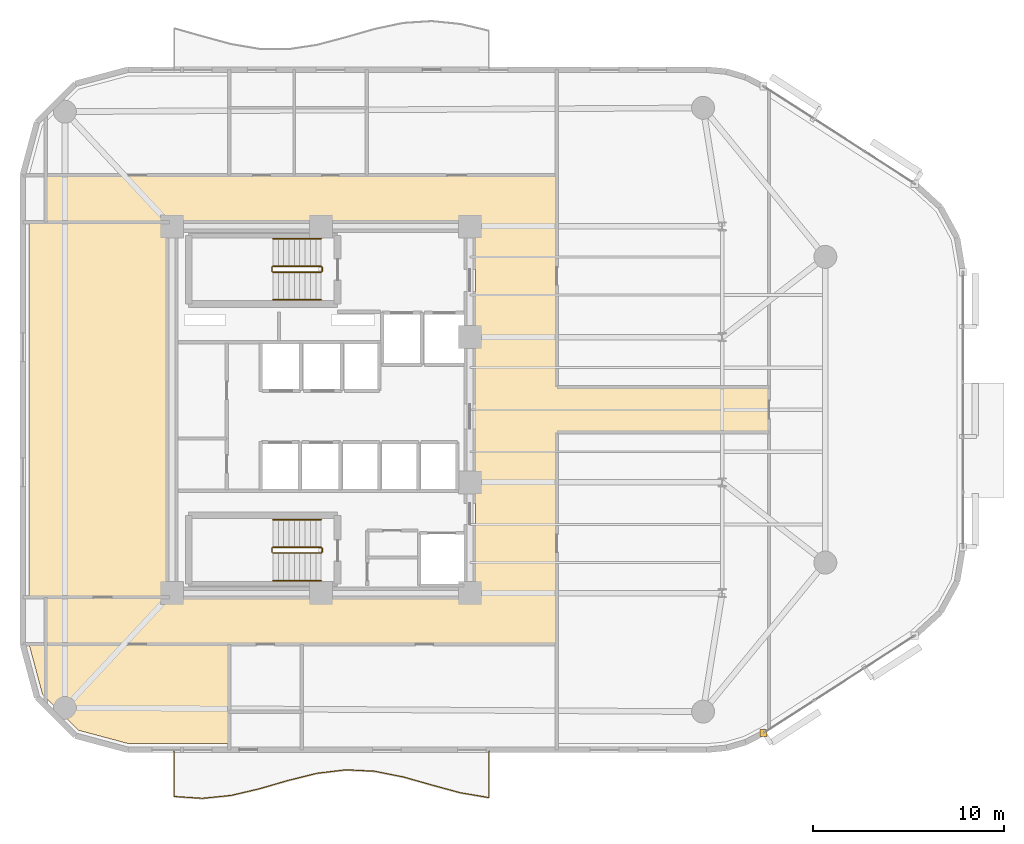
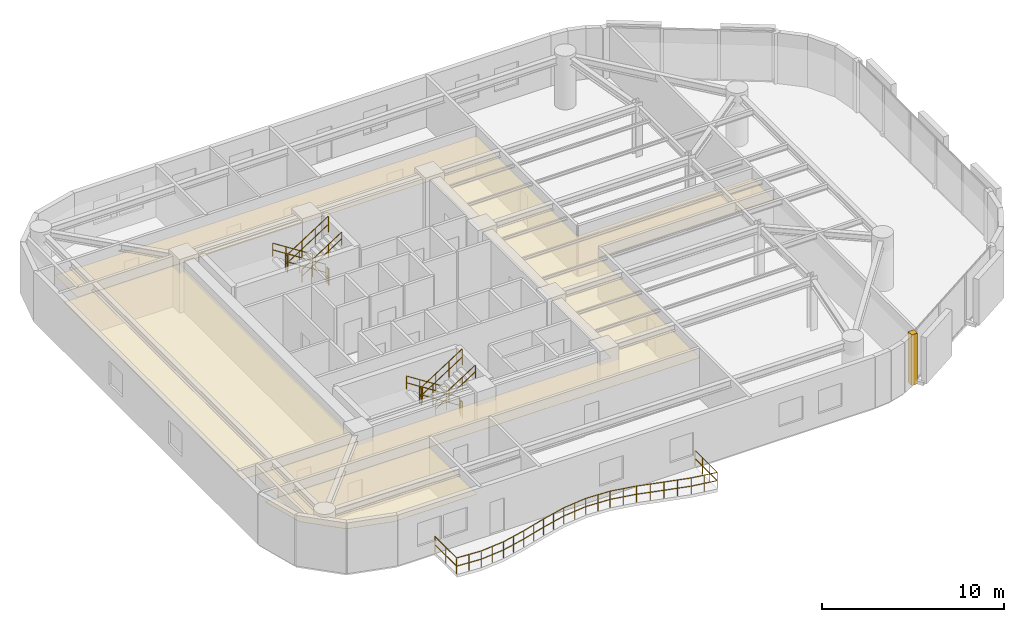
# One storey, part 13 of 14: 13 railings, 4 coverings.
"""IFC4 building model written with IfcOpenShell, lengths in metres."""

import ifcopenshell
import ifcopenshell.guid

model = None  # the IFC model being written
_history = None  # IfcOwnerHistory: only IFC2X3 demands one
_inside = {}  # id of a spatial element -> (the spatial element, [elements in it])
_under = {}  # id of a project, library or spatial element -> (it, [spatial elements below it])
_declared = {}  # id of a project -> (the project, [libraries it declares])
_typed = {}  # id of a type object -> (the type object, [elements of that type])
_made_of = {}  # id of a material, layer set ... -> (it, [elements and type objects made of it])


def new_model(schema):
    """Start an empty IFC model of exactly this schema.

    Asked for "IFC4X3", IfcOpenShell would pick the latest addendum, in which some entities
    have other attributes; the version numbers below select the first issue.
    IFC2X3 requires an IfcOwnerHistory on every rooted entity: one is made here for all.
    """
    global model, _history
    if schema == "IFC4X3":
        model = ifcopenshell.file(schema_version=(4, 3, 0, 0))
    else:
        model = ifcopenshell.file(schema=schema)
    _inside.clear()
    _under.clear()
    _declared.clear()
    _typed.clear()
    _made_of.clear()
    _history = None
    if model.schema == "IFC2X3":
        org = make("IfcOrganization", Name="unknown")
        user = make(
            "IfcPersonAndOrganization",
            ThePerson=make("IfcPerson", FamilyName="unknown"),
            TheOrganization=org,
        )
        app = make(
            "IfcApplication",
            ApplicationDeveloper=org,
            Version="unknown",
            ApplicationFullName="unknown",
            ApplicationIdentifier="unknown",
        )
        _history = make(
            "IfcOwnerHistory",
            OwningUser=user,
            OwningApplication=app,
            ChangeAction="ADDED",
            CreationDate=0,
        )
    return model


def make(cls, **values):
    """One entity of the class cls with the attributes given. An attribute that is None is left unset."""
    return model.create_entity(
        cls, **{name: value for name, value in values.items() if value is not None}
    )


def rooted(cls, **values):
    """An entity with a GlobalId (a new one), such as an element, a storey or a relation."""
    return make(cls, GlobalId=ifcopenshell.guid.new(), OwnerHistory=_history, **values)


def si_unit(unit_type, name, prefix=None):
    """IfcSIUnit, for example si_unit("LENGTHUNIT", "METRE", prefix="MILLI")."""
    return make("IfcSIUnit", UnitType=unit_type, Prefix=prefix, Name=name)


def assignment(units):
    """IfcUnitAssignment: the units of a project."""
    return None if units is None else make("IfcUnitAssignment", Units=units)


def point(xyz):
    """IfcCartesianPoint."""
    return None if xyz is None else make("IfcCartesianPoint", Coordinates=xyz)


def direction(xyz):
    """IfcDirection."""
    return None if xyz is None else make("IfcDirection", DirectionRatios=xyz)


def frame(location, z_axis=None, x_axis=None):
    """IfcAxis2Placement3D, a coordinate frame: its origin and axes. An axis left out is left unset."""
    return make(
        "IfcAxis2Placement3D",
        Location=point(location),
        Axis=direction(z_axis),
        RefDirection=direction(x_axis),
    )


def frame_2d(location, x_axis=None):
    """IfcAxis2Placement2D, a coordinate frame in the plane: its origin and x axis."""
    return make(
        "IfcAxis2Placement2D", Location=point(location), RefDirection=direction(x_axis)
    )


def origin():
    """The frame at (0, 0, 0) with its axes left unset."""
    return frame((0.0, 0.0, 0.0))


def origin_2d():
    """The frame at (0, 0) in the plane with its x axis left unset."""
    return frame_2d((0.0, 0.0))


def place(relative_to, where):
    """IfcLocalPlacement: puts the frame where relative to a parent placement (None: the world)."""
    return make(
        "IfcLocalPlacement", PlacementRelTo=relative_to, RelativePlacement=where
    )


def context(
    kind, dimensions, precision=None, world=None, true_north=None, identifier=None
):
    """IfcGeometricRepresentationContext, for example the 3D "Model" context."""
    return make(
        "IfcGeometricRepresentationContext",
        ContextIdentifier=identifier,
        ContextType=kind,
        CoordinateSpaceDimension=dimensions,
        Precision=precision,
        WorldCoordinateSystem=world,
        TrueNorth=true_north,
    )


def subcontext(parent, identifier, kind, view, scale=None):
    """IfcGeometricRepresentationSubContext, for example "Body" below "Model"."""
    return make(
        "IfcGeometricRepresentationSubContext",
        ContextIdentifier=identifier,
        ContextType=kind,
        ParentContext=parent,
        TargetScale=scale,
        TargetView=view,
    )


def project(units=None, contexts=None):
    """IfcProject with its units and contexts."""
    return rooted(
        "IfcProject",
        Name="project",
        RepresentationContexts=contexts,
        UnitsInContext=assignment(units),
    )


def spatial(cls, under=None, at=None, **own):
    """A site, building, storey or space (cls), placed at a placement, below another one or the project."""
    s = rooted(cls, ObjectPlacement=at, **own)
    if under is not None:
        _under.setdefault(under.id(), (under, []))[1].append(s)
    return s


def polyline(points):
    """IfcPolyline through the points."""
    return make("IfcPolyline", Points=[point(p) for p in points])


def profile(cls, at=None, kind="AREA", **sizes):
    """A parametric profile (cls). Its sizes go by their IFC names, for example OverallWidth=200.0."""
    return make(cls, ProfileType=kind, Position=at, **sizes)


def rectangle(**sizes):
    """IfcRectangleProfileDef."""
    return profile("IfcRectangleProfileDef", **sizes)


def circle(**sizes):
    """IfcCircleProfileDef."""
    return profile("IfcCircleProfileDef", **sizes)


def outline(outer, holes=None, kind="AREA"):
    """IfcArbitraryClosedProfileDef: a profile drawn as a closed curve; with holes, ...WithVoids."""
    if holes is None:
        return make("IfcArbitraryClosedProfileDef", ProfileType=kind, OuterCurve=outer)
    return make(
        "IfcArbitraryProfileDefWithVoids",
        ProfileType=kind,
        OuterCurve=outer,
        InnerCurves=holes,
    )


def extrude(swept, where, along, depth):
    """IfcExtrudedAreaSolid: the profile swept, set in the frame where, extruded along a direction by depth."""
    return make(
        "IfcExtrudedAreaSolid",
        SweptArea=swept,
        Position=where,
        ExtrudedDirection=direction(along),
        Depth=depth,
    )


def shape(context_of_items, identifier, shape_type, items):
    """IfcShapeRepresentation: the items that make up one representation, for example the "Body"."""
    return make(
        "IfcShapeRepresentation",
        ContextOfItems=context_of_items,
        RepresentationIdentifier=identifier,
        RepresentationType=shape_type,
        Items=items,
    )


def material(Name=None, Category=None):
    """IfcMaterial."""
    return make("IfcMaterial", Name=Name, Category=Category)


def layer(
    of_material, thickness, ventilated=None, Name=None, Category=None, Priority=None
):
    """IfcMaterialLayer: one layer of a wall or slab, of a material (None: an air gap)."""
    return make(
        "IfcMaterialLayer",
        Material=of_material,
        LayerThickness=thickness,
        IsVentilated=ventilated,
        Name=Name,
        Category=Category,
        Priority=Priority,
    )


def layer_set(layers, Name=None):
    """IfcMaterialLayerSet."""
    return make("IfcMaterialLayerSet", MaterialLayers=layers, LayerSetName=Name)


def made_of(thing, what):
    """Note that an element or type object is made of a material, layer set ...; save() writes the relation."""
    if what is not None:
        _made_of.setdefault(what.id(), (what, []))[1].append(thing)
    return thing


def type_object(cls, material=None, **own):
    """A type object (cls), such as IfcWallType, which elements share."""
    return made_of(rooted(cls, **own), material)


def element(
    cls,
    number,
    at=None,
    inside=None,
    cuts=None,
    type_object=None,
    material=None,
    context=None,
    identifier="Body",
    shape_type=None,
    held_by="IfcProductDefinitionShape",
    body=None,
    shapes=None,
    **own,
):
    """One element of the class cls, such as IfcWall. Its Tag is "e" and its number.

    at: its placement. inside: the storey or other place that contains it. cuts: it is an
    opening in that element (IfcRelVoidsElement). A single representation is given by context,
    identifier, shape_type and body (its items); several are given by shapes. held_by: the class
    of the entity that holds the representations. save() writes the other relations.
    """
    e = rooted(cls, Tag="e%d" % number, ObjectPlacement=at, **own)
    if body is not None:
        shapes = [shape(context, identifier, shape_type, body)]
    if shapes is not None:
        e.Representation = make(held_by, Representations=shapes)
    if inside is not None:
        _inside.setdefault(inside.id(), (inside, []))[1].append(e)
    if cuts is not None:
        rooted(
            "IfcRelVoidsElement", RelatingBuildingElement=cuts, RelatedOpeningElement=e
        )
    if type_object is not None:
        _typed.setdefault(type_object.id(), (type_object, []))[1].append(e)
    return made_of(e, material)


def aggregate(whole, parts):
    """IfcRelAggregates: a whole, such as a stair, and the parts it consists of."""
    return rooted("IfcRelAggregates", RelatingObject=whole, RelatedObjects=parts)


def save(model, path):
    """Write the relations noted so far, then the file.

    IfcRelAggregates (storeys below a building ...), IfcRelContainedInSpatialStructure (elements
    in a storey), IfcRelDefinesByType, IfcRelAssociatesMaterial and IfcRelDeclares: one each for
    every whole, place, type object, material and project.
    """
    for whole, parts in _under.values():
        aggregate(whole, parts)
    for where, things in _inside.values():
        rooted(
            "IfcRelContainedInSpatialStructure",
            RelatedElements=things,
            RelatingStructure=where,
        )
    for kind, things in _typed.values():
        rooted("IfcRelDefinesByType", RelatedObjects=things, RelatingType=kind)
    for what, things in _made_of.values():
        rooted("IfcRelAssociatesMaterial", RelatedObjects=things, RelatingMaterial=what)
    for by, libraries in _declared.values():
        rooted("IfcRelDeclares", RelatingContext=by, RelatedDefinitions=libraries)
    model.write(path)


model = new_model("IFC4")

# Units and contexts
model_context = context("Model", 3, precision=1e-05, world=origin(), true_north=direction((0.0, 1.0)))
body_context = subcontext(model_context, "Body", "Model", "MODEL_VIEW")
ifc_project = project(units=[si_unit("LENGTHUNIT", "METRE"), si_unit("AREAUNIT", "SQUARE_METRE"), si_unit("VOLUMEUNIT", "CUBIC_METRE"), si_unit("PLANEANGLEUNIT", "RADIAN"), si_unit("MASSUNIT", "GRAM", prefix="KILO")], contexts=[model_context])

# Site, building, storey
site_placement = place(None, origin())
site = spatial("IfcSite", under=ifc_project, at=site_placement, CompositionType="ELEMENT")
building_placement = place(site_placement, origin())
building = spatial("IfcBuilding", under=site, at=building_placement, Name="An Khanh Terracotta Commons", CompositionType="ELEMENT")
storey_placement = place(building_placement, frame((0.0, 0.0, 154.60009765625)))
storey = spatial("IfcBuildingStorey", under=building, at=storey_placement, Name="L40", CompositionType="ELEMENT", Elevation=154.60009765625)

# Coverings
ifc_material_1 = material(Name="Perforated Mineral-Fibre Acoustic Tile")
ifc_layer_1 = layer(ifc_material_1, 0.02001953125, Name="Perforated Mineral-Fibre Acoustic Tile")
ifc_layer_set_1 = layer_set([ifc_layer_1], Name="Perforated Mineral-Fibre Acoustic Tile")
covering_type_1 = type_object("IfcCoveringType", Name="CEIL-ACOUSTIC-18", PredefinedType="CEILING", material=ifc_layer_set_1)
covering_1_placement = place(storey_placement, frame((0.0, 0.0, 2.64990234375)))
element("IfcCovering", 1, at=covering_1_placement, inside=storey, type_object=covering_type_1, Name="L40 Corridor Ceiling", PredefinedType="CEILING", context=body_context, shape_type="SweptSolid", body=[
    extrude(outline(polyline([(15.0, 11.719970703125), (15.0, 14.179931640625), (37.5, 14.179931640625), (37.5, 33.820068359375), (15.0, 33.820068359375), (15.0, 36.280029296875), (37.5, 36.280029296875), (41.75, 36.280029296875), (41.75, 33.820068359375), (41.75, 25.179931640625), (52.85009765625, 25.179931640625), (52.85009765625, 22.820068359375), (41.75, 22.820068359375), (41.75, 14.179931640625), (41.75, 11.719970703125), (37.5, 11.719970703125), (15.0, 11.719970703125)])), origin(), (0.0, 0.0, 1.0), 0.02001953125),
])
covering_2_placement = place(storey_placement, frame((0.0, 0.0, 2.64990234375)))
element("IfcCovering", 2, at=covering_2_placement, inside=storey, type_object=covering_type_1, Name="L40 Academic Seminar Room Ceiling", PredefinedType="CEILING", context=body_context, shape_type="SweptSolid", body=[
    extrude(outline(polyline([(19.342041015625, 6.52001953125), (16.716064453125, 7.22412109375), (14.823974609375, 9.115966796875), (14.1259765625, 11.719970703125), (15.0, 11.719970703125), (24.60009765625, 11.719970703125), (24.60009765625, 8.199951171875), (24.60009765625, 6.52001953125), (19.342041015625, 6.52001953125)])), origin(), (0.0, 0.0, 1.0), 0.02001953125),
])
covering_3_placement = place(storey_placement, frame((0.0, 0.0, 2.64990234375)))
element("IfcCovering", 3, at=covering_3_placement, inside=storey, type_object=covering_type_1, Name="L40 Riverfront Reading Hall Ceiling", PredefinedType="CEILING", context=body_context, shape_type="SweptSolid", body=[
    extrude(outline(polyline([(14.1201171875, 33.820068359375), (15.0, 33.820068359375), (21.47998046875, 33.820068359375), (21.47998046875, 33.719970703125), (21.47998046875, 14.280029296875), (21.47998046875, 14.179931640625), (15.0, 14.179931640625), (14.1201171875, 14.179931640625), (14.1201171875, 33.820068359375)])), origin(), (0.0, 0.0, 1.0), 0.02001953125),
])
ifc_material_2 = material(Name="Fired Terracotta Rainscreen Cladding", Category="masonry")
ifc_layer_2 = layer(ifc_material_2, 0.080078125, Name="Fired Terracotta Rainscreen Cladding")
ifc_layer_set_2 = layer_set([ifc_layer_2], Name="Fired Terracotta Rainscreen Cladding")
covering_type_2 = type_object("IfcCoveringType", Name="COV-JAMB-TERRA", PredefinedType="CLADDING", material=ifc_layer_set_2)
covering_4_placement = place(storey_placement, frame((52.56005859375, 7.075927734375, 0.0), z_axis=(0.0, 0.0, 1.0), x_axis=(1.0, 0.0, 0.0)))
element("IfcCovering", 4, at=covering_4_placement, inside=storey, type_object=covering_type_2, Name="L40 CW-03 Curtain-Wall Jamb Closure JA", PredefinedType="CLADDING", context=body_context, shape_type="SweptSolid", body=[
    extrude(rectangle(XDim=0.3798828125, YDim=0.3798828125, at=origin_2d()), origin(), (0.0, 0.0, 1.0), 3.39990234375),
])

# Railings
ifc_material_3 = material(Name="Brushed Stainless Steel 316", Category="steel")
railing_type_1 = type_object("IfcRailingType", Name="RAIL-BALUSTRADE-1100", PredefinedType="BALUSTRADE", material=ifc_material_3)
railing_1_placement = place(storey_placement, frame((21.699951171875, 6.139892578125, 0.0)))
element("IfcRailing", 5, at=railing_1_placement, inside=storey, type_object=railing_type_1, Name="L40 S Wave Balcony Guard Balustrade", PredefinedType="BALUSTRADE", context=body_context, shape_type="SweptSolid", body=[
    extrude(circle(Radius=0.02392578125, at=origin_2d()), frame((0.0, 0.0, 1.076171875), z_axis=(0.0, -1.0, 0.0), x_axis=(1.0, 0.0, 0.0)), (0.0, 0.0, 1.0), 2.3798828125),
    extrude(circle(Radius=0.02392578125, at=origin_2d()), frame((0.0, 0.0, 0.52587890625), z_axis=(0.0, -1.0, 0.0), x_axis=(1.0, 0.0, 0.0)), (0.0, 0.0, 1.0), 2.3798828125),
    extrude(circle(Radius=0.02392578125, at=origin_2d()), frame((0.0, -2.3798828125, 1.076171875), z_axis=(0.99787689467, -0.065128358523, 0.0), x_axis=(0.065128358523, 0.99787689467, 0.0)), (0.0, 0.0, 1.0), 1.503173828125),
    extrude(circle(Radius=0.02392578125, at=origin_2d()), frame((0.0, -2.3798828125, 0.52587890625), z_axis=(0.99787689467, -0.065128358523, 0.0), x_axis=(0.065128358523, 0.99787689467, 0.0)), (0.0, 0.0, 1.0), 1.503173828125),
    extrude(circle(Radius=0.02392578125, at=origin_2d()), frame((1.5, -2.477783203125, 1.076171875), z_axis=(0.994849482387, 0.101363244788, 0.0), x_axis=(-0.101363244788, 0.994849482387, 0.0)), (0.0, 0.0, 1.0), 1.5078125),
    extrude(circle(Radius=0.02392578125, at=origin_2d()), frame((1.5, -2.477783203125, 0.52587890625), z_axis=(0.994849482387, 0.101363244788, 0.0), x_axis=(-0.101363244788, 0.994849482387, 0.0)), (0.0, 0.0, 1.0), 1.5078125),
    extrude(circle(Radius=0.02392578125, at=origin_2d()), frame((3.0, -2.324951171875, 1.076171875), z_axis=(0.973263214687, 0.229692653206, 0.0), x_axis=(-0.229692653206, 0.973263214687, 0.0)), (0.0, 0.0, 1.0), 1.541259765625),
    extrude(circle(Radius=0.02392578125, at=origin_2d()), frame((3.0, -2.324951171875, 0.52587890625), z_axis=(0.973263214687, 0.229692653206, 0.0), x_axis=(-0.229692653206, 0.973263214687, 0.0)), (0.0, 0.0, 1.0), 1.541259765625),
    extrude(circle(Radius=0.02392578125, at=origin_2d()), frame((4.5, -1.970947265625, 1.076171875), z_axis=(0.960419102414, 0.278559056071, 0.0), x_axis=(-0.278559056071, 0.960419102414, 0.0)), (0.0, 0.0, 1.0), 1.561767578125),
    extrude(circle(Radius=0.02392578125, at=origin_2d()), frame((4.5, -1.970947265625, 0.52587890625), z_axis=(0.960419102414, 0.278559056071, 0.0), x_axis=(-0.278559056071, 0.960419102414, 0.0)), (0.0, 0.0, 1.0), 1.561767578125),
    extrude(circle(Radius=0.02392578125, at=origin_2d()), frame((6.0, -1.535888671875, 1.076171875), z_axis=(0.970881568768, 0.239559970419, 0.0), x_axis=(-0.239559970419, 0.970881568768, 0.0)), (0.0, 0.0, 1.0), 1.544921875),
    extrude(circle(Radius=0.02392578125, at=origin_2d()), frame((6.0, -1.535888671875, 0.52587890625), z_axis=(0.970881568768, 0.239559970419, 0.0), x_axis=(-0.239559970419, 0.970881568768, 0.0)), (0.0, 0.0, 1.0), 1.544921875),
    extrude(circle(Radius=0.02392578125, at=origin_2d()), frame((7.5, -1.165771484375, 1.076171875), z_axis=(0.99288219023, 0.11910061429, 0.0), x_axis=(-0.11910061429, 0.99288219023, 0.0)), (0.0, 0.0, 1.0), 1.5107421875),
    extrude(circle(Radius=0.02392578125, at=origin_2d()), frame((7.5, -1.165771484375, 0.52587890625), z_axis=(0.99288219023, 0.11910061429, 0.0), x_axis=(-0.11910061429, 0.99288219023, 0.0)), (0.0, 0.0, 1.0), 1.5107421875),
    extrude(circle(Radius=0.02392578125, at=origin_2d()), frame((9.0, -0.98583984375, 1.076171875), z_axis=(0.998880243389, -0.047310245903, 0.0), x_axis=(0.047310245903, 0.998880243389, 0.0)), (0.0, 0.0, 1.0), 1.501708984375),
    extrude(circle(Radius=0.02392578125, at=origin_2d()), frame((9.0, -0.98583984375, 0.52587890625), z_axis=(0.998880243389, -0.047310245903, 0.0), x_axis=(0.047310245903, 0.998880243389, 0.0)), (0.0, 0.0, 1.0), 1.501708984375),
    extrude(circle(Radius=0.02392578125, at=origin_2d()), frame((10.5, -1.056884765625, 1.076171875), z_axis=(0.980819402607, -0.194918699639, 0.0), x_axis=(0.194918699639, 0.980819402607, 0.0)), (0.0, 0.0, 1.0), 1.529296875),
    extrude(circle(Radius=0.02392578125, at=origin_2d()), frame((10.5, -1.056884765625, 0.52587890625), z_axis=(0.980819402607, -0.194918699639, 0.0), x_axis=(0.194918699639, 0.980819402607, 0.0)), (0.0, 0.0, 1.0), 1.529296875),
    extrude(circle(Radius=0.02392578125, at=origin_2d()), frame((12.0, -1.35498046875, 1.076171875), z_axis=(0.962323659406, -0.271906554806, 0.0), x_axis=(0.271906554806, 0.962323659406, 0.0)), (0.0, 0.0, 1.0), 1.558837890625),
    extrude(circle(Radius=0.02392578125, at=origin_2d()), frame((12.0, -1.35498046875, 0.52587890625), z_axis=(0.962323659406, -0.271906554806, 0.0), x_axis=(0.271906554806, 0.962323659406, 0.0)), (0.0, 0.0, 1.0), 1.558837890625),
    extrude(circle(Radius=0.02392578125, at=origin_2d()), frame((13.5, -1.77880859375, 1.076171875), z_axis=(0.964908643051, -0.262585815622, 0.0), x_axis=(0.262585815622, 0.964908643051, 0.0)), (0.0, 0.0, 1.0), 1.554443359375),
    extrude(circle(Radius=0.02392578125, at=origin_2d()), frame((13.5, -1.77880859375, 0.52587890625), z_axis=(0.964908643051, -0.262585815622, 0.0), x_axis=(0.262585815622, 0.964908643051, 0.0)), (0.0, 0.0, 1.0), 1.554443359375),
    extrude(circle(Radius=0.02392578125, at=origin_2d()), frame((15.0, -2.18701171875, 1.076171875), z_axis=(0.986079829755, -0.16627257546, 0.0), x_axis=(0.16627257546, 0.986079829755, 0.0)), (0.0, 0.0, 1.0), 1.521240234375),
    extrude(circle(Radius=0.02392578125, at=origin_2d()), frame((15.0, -2.18701171875, 0.52587890625), z_axis=(0.986079829755, -0.16627257546, 0.0), x_axis=(0.16627257546, 0.986079829755, 0.0)), (0.0, 0.0, 1.0), 1.521240234375),
    extrude(circle(Radius=0.02392578125, at=origin_2d()), frame((16.5, -2.43994140625, 1.076171875), z_axis=(0.0, 1.0, 0.0), x_axis=(-1.0, 0.0, 0.0)), (0.0, 0.0, 1.0), 2.43994140625),
    extrude(circle(Radius=0.02392578125, at=origin_2d()), frame((16.5, -2.43994140625, 0.52587890625), z_axis=(0.0, 1.0, 0.0), x_axis=(-1.0, 0.0, 0.0)), (0.0, 0.0, 1.0), 2.43994140625),
    extrude(circle(Radius=0.02099609375, at=origin_2d()), origin(), (0.0, 0.0, 1.0), 1.052001953125),
    extrude(circle(Radius=0.02099609375, at=origin_2d()), frame((0.0, -1.18994140625, 0.0)), (0.0, 0.0, 1.0), 1.052001953125),
    extrude(circle(Radius=0.02099609375, at=origin_2d()), frame((0.0, -2.3798828125, 0.0)), (0.0, 0.0, 1.0), 1.052001953125),
    extrude(circle(Radius=0.02099609375, at=origin_2d()), frame((0.75, -2.4287109375, 0.0)), (0.0, 0.0, 1.0), 1.052001953125),
    extrude(circle(Radius=0.02099609375, at=origin_2d()), frame((1.5, -2.477783203125, 0.0)), (0.0, 0.0, 1.0), 1.052001953125),
    extrude(circle(Radius=0.02099609375, at=origin_2d()), frame((2.25, -2.4013671875, 0.0)), (0.0, 0.0, 1.0), 1.052001953125),
    extrude(circle(Radius=0.02099609375, at=origin_2d()), frame((3.0, -2.324951171875, 0.0)), (0.0, 0.0, 1.0), 1.052001953125),
    extrude(circle(Radius=0.02099609375, at=origin_2d()), frame((3.75, -2.14794921875, 0.0)), (0.0, 0.0, 1.0), 1.052001953125),
    extrude(circle(Radius=0.02099609375, at=origin_2d()), frame((4.5, -1.970947265625, 0.0)), (0.0, 0.0, 1.0), 1.052001953125),
    extrude(circle(Radius=0.02099609375, at=origin_2d()), frame((5.25, -1.75341796875, 0.0)), (0.0, 0.0, 1.0), 1.052001953125),
    extrude(circle(Radius=0.02099609375, at=origin_2d()), frame((6.0, -1.535888671875, 0.0)), (0.0, 0.0, 1.0), 1.052001953125),
    extrude(circle(Radius=0.02099609375, at=origin_2d()), frame((6.75, -1.350830078125, 0.0)), (0.0, 0.0, 1.0), 1.052001953125),
    extrude(circle(Radius=0.02099609375, at=origin_2d()), frame((7.5, -1.165771484375, 0.0)), (0.0, 0.0, 1.0), 1.052001953125),
    extrude(circle(Radius=0.02099609375, at=origin_2d()), frame((8.25, -1.07568359375, 0.0)), (0.0, 0.0, 1.0), 1.052001953125),
    extrude(circle(Radius=0.02099609375, at=origin_2d()), frame((9.0, -0.98583984375, 0.0)), (0.0, 0.0, 1.0), 1.052001953125),
    extrude(circle(Radius=0.02099609375, at=origin_2d()), frame((9.75, -1.021484375, 0.0)), (0.0, 0.0, 1.0), 1.052001953125),
    extrude(circle(Radius=0.02099609375, at=origin_2d()), frame((10.5, -1.056884765625, 0.0)), (0.0, 0.0, 1.0), 1.052001953125),
    extrude(circle(Radius=0.02099609375, at=origin_2d()), frame((11.25, -1.2060546875, 0.0)), (0.0, 0.0, 1.0), 1.052001953125),
    extrude(circle(Radius=0.02099609375, at=origin_2d()), frame((12.0, -1.35498046875, 0.0)), (0.0, 0.0, 1.0), 1.052001953125),
    extrude(circle(Radius=0.02099609375, at=origin_2d()), frame((12.75, -1.56689453125, 0.0)), (0.0, 0.0, 1.0), 1.052001953125),
    extrude(circle(Radius=0.02099609375, at=origin_2d()), frame((13.5, -1.77880859375, 0.0)), (0.0, 0.0, 1.0), 1.052001953125),
    extrude(circle(Radius=0.02099609375, at=origin_2d()), frame((14.25, -1.98291015625, 0.0)), (0.0, 0.0, 1.0), 1.052001953125),
    extrude(circle(Radius=0.02099609375, at=origin_2d()), frame((15.0, -2.18701171875, 0.0)), (0.0, 0.0, 1.0), 1.052001953125),
    extrude(circle(Radius=0.02099609375, at=origin_2d()), frame((15.75, -2.3134765625, 0.0)), (0.0, 0.0, 1.0), 1.052001953125),
    extrude(circle(Radius=0.02099609375, at=origin_2d()), frame((16.5, -2.43994140625, 0.0)), (0.0, 0.0, 1.0), 1.052001953125),
    extrude(circle(Radius=0.02099609375, at=origin_2d()), frame((16.5, -1.626708984375, 0.0)), (0.0, 0.0, 1.0), 1.052001953125),
    extrude(circle(Radius=0.02099609375, at=origin_2d()), frame((16.5, -0.813232421875, 0.0)), (0.0, 0.0, 1.0), 1.052001953125),
    extrude(circle(Radius=0.02099609375, at=origin_2d()), frame((16.5, 0.0, 0.0)), (0.0, 0.0, 1.0), 1.052001953125),
])
railing_type_2 = type_object("IfcRailingType", Name="RAIL-HANDRAIL-900", PredefinedType="HANDRAIL", material=ifc_material_3)
railing_2_placement = place(storey_placement, frame((29.409912109375, 32.949951171875, 0.179931640625)))
element("IfcRailing", 6, at=railing_2_placement, inside=storey, type_object=railing_type_2, Name="L40 ST-01 stair handrail 1", PredefinedType="HANDRAIL", context=body_context, shape_type="SweptSolid", body=[
    extrude(circle(Radius=0.02392578125, at=origin_2d()), frame((0.0, 0.0, 0.8759765625), z_axis=(-0.841199657755, 0.0, 0.540724639528), x_axis=(0.0, -1.0, 0.0)), (0.0, 0.0, 1.0), 2.995849609375),
    extrude(circle(Radius=0.02392578125, at=origin_2d()), frame((0.0, 0.0, 0.42578125), z_axis=(-0.841199657755, 0.0, 0.540724639528), x_axis=(0.0, -1.0, 0.0)), (0.0, 0.0, 1.0), 2.995849609375),
    extrude(circle(Radius=0.02099609375, at=origin_2d()), origin(), (0.0, 0.0, 1.0), 0.851806640625),
    extrude(circle(Radius=0.02099609375, at=origin_2d()), frame((-0.840087890625, 0.0, 0.5400390625)), (0.0, 0.0, 1.0), 0.851806640625),
    extrude(circle(Radius=0.02099609375, at=origin_2d()), frame((-1.679931640625, 0.0, 1.079833984375)), (0.0, 0.0, 1.0), 0.851806640625),
    extrude(circle(Radius=0.02099609375, at=origin_2d()), frame((-2.52001953125, 0.0, 1.619873046875)), (0.0, 0.0, 1.0), 0.851806640625),
])
railing_3_placement = place(storey_placement, frame((26.889892578125, 29.75, 1.97998046875)))
element("IfcRailing", 7, at=railing_3_placement, inside=storey, type_object=railing_type_2, Name="L40 ST-01 stair handrail 2", PredefinedType="HANDRAIL", context=body_context, shape_type="SweptSolid", body=[
    extrude(circle(Radius=0.02392578125, at=origin_2d()), frame((0.0, 0.0, 0.8759765625), z_axis=(0.841199657755, 0.0, 0.540724639528), x_axis=(0.0, 1.0, 0.0)), (0.0, 0.0, 1.0), 2.995849609375),
    extrude(circle(Radius=0.02392578125, at=origin_2d()), frame((0.0, 0.0, 0.42578125), z_axis=(0.841199657755, 0.0, 0.540724639528), x_axis=(0.0, 1.0, 0.0)), (0.0, 0.0, 1.0), 2.995849609375),
    extrude(circle(Radius=0.02099609375, at=origin_2d()), origin(), (0.0, 0.0, 1.0), 0.851806640625),
    extrude(circle(Radius=0.02099609375, at=origin_2d()), frame((0.840087890625, 0.0, 0.5400390625)), (0.0, 0.0, 1.0), 0.851806640625),
    extrude(circle(Radius=0.02099609375, at=origin_2d()), frame((1.679931640625, 0.0, 1.079833984375)), (0.0, 0.0, 1.0), 0.851806640625),
    extrude(circle(Radius=0.02099609375, at=origin_2d()), frame((2.52001953125, 0.0, 1.619873046875)), (0.0, 0.0, 1.0), 0.851806640625),
])
railing_4_placement = place(storey_placement, frame((29.409912109375, 18.25, 0.179931640625)))
element("IfcRailing", 8, at=railing_4_placement, inside=storey, type_object=railing_type_2, Name="L40 ST-02 stair handrail 1", PredefinedType="HANDRAIL", context=body_context, shape_type="SweptSolid", body=[
    extrude(circle(Radius=0.02392578125, at=origin_2d()), frame((0.0, 0.0, 0.8759765625), z_axis=(-0.841199657755, 0.0, 0.540724639528), x_axis=(0.0, -1.0, 0.0)), (0.0, 0.0, 1.0), 2.995849609375),
    extrude(circle(Radius=0.02392578125, at=origin_2d()), frame((0.0, 0.0, 0.42578125), z_axis=(-0.841199657755, 0.0, 0.540724639528), x_axis=(0.0, -1.0, 0.0)), (0.0, 0.0, 1.0), 2.995849609375),
    extrude(circle(Radius=0.02099609375, at=origin_2d()), origin(), (0.0, 0.0, 1.0), 0.851806640625),
    extrude(circle(Radius=0.02099609375, at=origin_2d()), frame((-0.840087890625, 0.0, 0.5400390625)), (0.0, 0.0, 1.0), 0.851806640625),
    extrude(circle(Radius=0.02099609375, at=origin_2d()), frame((-1.679931640625, 0.0, 1.079833984375)), (0.0, 0.0, 1.0), 0.851806640625),
    extrude(circle(Radius=0.02099609375, at=origin_2d()), frame((-2.52001953125, 0.0, 1.619873046875)), (0.0, 0.0, 1.0), 0.851806640625),
])
railing_5_placement = place(storey_placement, frame((26.889892578125, 15.050048828125, 1.97998046875)))
element("IfcRailing", 9, at=railing_5_placement, inside=storey, type_object=railing_type_2, Name="L40 ST-02 stair handrail 2", PredefinedType="HANDRAIL", context=body_context, shape_type="SweptSolid", body=[
    extrude(circle(Radius=0.02392578125, at=origin_2d()), frame((0.0, 0.0, 0.8759765625), z_axis=(0.841199657755, 0.0, 0.540724639528), x_axis=(0.0, 1.0, 0.0)), (0.0, 0.0, 1.0), 2.995849609375),
    extrude(circle(Radius=0.02392578125, at=origin_2d()), frame((0.0, 0.0, 0.42578125), z_axis=(0.841199657755, 0.0, 0.540724639528), x_axis=(0.0, 1.0, 0.0)), (0.0, 0.0, 1.0), 2.995849609375),
    extrude(circle(Radius=0.02099609375, at=origin_2d()), origin(), (0.0, 0.0, 1.0), 0.851806640625),
    extrude(circle(Radius=0.02099609375, at=origin_2d()), frame((0.840087890625, 0.0, 0.5400390625)), (0.0, 0.0, 1.0), 0.851806640625),
    extrude(circle(Radius=0.02099609375, at=origin_2d()), frame((1.679931640625, 0.0, 1.079833984375)), (0.0, 0.0, 1.0), 0.851806640625),
    extrude(circle(Radius=0.02099609375, at=origin_2d()), frame((2.52001953125, 0.0, 1.619873046875)), (0.0, 0.0, 1.0), 0.851806640625),
])
ifc_material_4 = material(Name="Powder-Coated Steel S355J2", Category="steel")
railing_type_3 = type_object("IfcRailingType", Name="RAIL-STAIR-GUARD-1100", PredefinedType="BALUSTRADE", material=ifc_material_4)
railing_6_placement = place(storey_placement, frame((29.409912109375, 31.5, 0.179931640625)))
element("IfcRailing", 10, at=railing_6_placement, inside=storey, type_object=railing_type_3, Name="L40 ST-01 stair guard 1", PredefinedType="BALUSTRADE", context=body_context, shape_type="SweptSolid", body=[
    extrude(circle(Radius=0.02392578125, at=origin_2d()), frame((0.0, 0.0, 1.076171875), z_axis=(-0.841199657755, 0.0, 0.540724639528), x_axis=(0.0, -1.0, 0.0)), (0.0, 0.0, 1.0), 2.995849609375),
    extrude(circle(Radius=0.02392578125, at=origin_2d()), frame((0.0, 0.0, 0.52587890625), z_axis=(-0.841199657755, 0.0, 0.540724639528), x_axis=(0.0, -1.0, 0.0)), (0.0, 0.0, 1.0), 2.995849609375),
    extrude(circle(Radius=0.02099609375, at=origin_2d()), origin(), (0.0, 0.0, 1.0), 1.052001953125),
    extrude(circle(Radius=0.02099609375, at=origin_2d()), frame((-0.840087890625, 0.0, 0.5400390625)), (0.0, 0.0, 1.0), 1.052001953125),
    extrude(circle(Radius=0.02099609375, at=origin_2d()), frame((-1.679931640625, 0.0, 1.079833984375)), (0.0, 0.0, 1.0), 1.052001953125),
    extrude(circle(Radius=0.02099609375, at=origin_2d()), frame((-2.52001953125, 0.0, 1.619873046875)), (0.0, 0.0, 1.0), 1.052001953125),
])
railing_7_placement = place(storey_placement, frame((26.840087890625, 31.449951171875, 1.7998046875)))
element("IfcRailing", 11, at=railing_7_placement, inside=storey, type_object=railing_type_3, Name="L40 ST-01 stair guard 2", PredefinedType="BALUSTRADE", context=body_context, shape_type="SweptSolid", body=[
    extrude(circle(Radius=0.02392578125, at=origin_2d()), frame((0.0, 0.0, 1.076171875), z_axis=(0.0, -1.0, 0.0), x_axis=(1.0, 0.0, 0.0)), (0.0, 0.0, 1.0), 0.199951171875),
    extrude(circle(Radius=0.02392578125, at=origin_2d()), frame((0.0, 0.0, 0.52587890625), z_axis=(0.0, -1.0, 0.0), x_axis=(1.0, 0.0, 0.0)), (0.0, 0.0, 1.0), 0.199951171875),
    extrude(circle(Radius=0.02099609375, at=origin_2d()), origin(), (0.0, 0.0, 1.0), 1.052001953125),
    extrude(circle(Radius=0.02099609375, at=origin_2d()), frame((0.0, -0.199951171875, 0.0)), (0.0, 0.0, 1.0), 1.052001953125),
])
railing_8_placement = place(storey_placement, frame((26.889892578125, 31.199951171875, 1.97998046875)))
element("IfcRailing", 12, at=railing_8_placement, inside=storey, type_object=railing_type_3, Name="L40 ST-01 stair guard 3", PredefinedType="BALUSTRADE", context=body_context, shape_type="SweptSolid", body=[
    extrude(circle(Radius=0.02392578125, at=origin_2d()), frame((0.0, 0.0, 1.076171875), z_axis=(0.841199657755, 0.0, 0.540724639528), x_axis=(0.0, 1.0, 0.0)), (0.0, 0.0, 1.0), 2.995849609375),
    extrude(circle(Radius=0.02392578125, at=origin_2d()), frame((0.0, 0.0, 0.52587890625), z_axis=(0.841199657755, 0.0, 0.540724639528), x_axis=(0.0, 1.0, 0.0)), (0.0, 0.0, 1.0), 2.995849609375),
    extrude(circle(Radius=0.02099609375, at=origin_2d()), origin(), (0.0, 0.0, 1.0), 1.052001953125),
    extrude(circle(Radius=0.02099609375, at=origin_2d()), frame((0.840087890625, 0.0, 0.5400390625)), (0.0, 0.0, 1.0), 1.052001953125),
    extrude(circle(Radius=0.02099609375, at=origin_2d()), frame((1.679931640625, 0.0, 1.079833984375)), (0.0, 0.0, 1.0), 1.052001953125),
    extrude(circle(Radius=0.02099609375, at=origin_2d()), frame((2.52001953125, 0.0, 1.619873046875)), (0.0, 0.0, 1.0), 1.052001953125),
])
railing_9_placement = place(storey_placement, frame((29.4599609375, 31.449951171875, 0.0)))
element("IfcRailing", 13, at=railing_9_placement, inside=storey, type_object=railing_type_3, Name="L40 ST-01 stair guard 4", PredefinedType="BALUSTRADE", context=body_context, shape_type="SweptSolid", body=[
    extrude(circle(Radius=0.02392578125, at=origin_2d()), frame((0.0, 0.0, 1.076171875), z_axis=(0.0, -1.0, 0.0), x_axis=(1.0, 0.0, 0.0)), (0.0, 0.0, 1.0), 0.199951171875),
    extrude(circle(Radius=0.02392578125, at=origin_2d()), frame((0.0, 0.0, 0.52587890625), z_axis=(0.0, -1.0, 0.0), x_axis=(1.0, 0.0, 0.0)), (0.0, 0.0, 1.0), 0.199951171875),
    extrude(circle(Radius=0.02099609375, at=origin_2d()), origin(), (0.0, 0.0, 1.0), 1.052001953125),
    extrude(circle(Radius=0.02099609375, at=origin_2d()), frame((0.0, -0.199951171875, 0.0)), (0.0, 0.0, 1.0), 1.052001953125),
])
railing_10_placement = place(storey_placement, frame((29.409912109375, 16.800048828125, 0.179931640625)))
element("IfcRailing", 14, at=railing_10_placement, inside=storey, type_object=railing_type_3, Name="L40 ST-02 stair guard 1", PredefinedType="BALUSTRADE", context=body_context, shape_type="SweptSolid", body=[
    extrude(circle(Radius=0.02392578125, at=origin_2d()), frame((0.0, 0.0, 1.076171875), z_axis=(-0.841199657755, 0.0, 0.540724639528), x_axis=(0.0, -1.0, 0.0)), (0.0, 0.0, 1.0), 2.995849609375),
    extrude(circle(Radius=0.02392578125, at=origin_2d()), frame((0.0, 0.0, 0.52587890625), z_axis=(-0.841199657755, 0.0, 0.540724639528), x_axis=(0.0, -1.0, 0.0)), (0.0, 0.0, 1.0), 2.995849609375),
    extrude(circle(Radius=0.02099609375, at=origin_2d()), origin(), (0.0, 0.0, 1.0), 1.052001953125),
    extrude(circle(Radius=0.02099609375, at=origin_2d()), frame((-0.840087890625, 0.0, 0.5400390625)), (0.0, 0.0, 1.0), 1.052001953125),
    extrude(circle(Radius=0.02099609375, at=origin_2d()), frame((-1.679931640625, 0.0, 1.079833984375)), (0.0, 0.0, 1.0), 1.052001953125),
    extrude(circle(Radius=0.02099609375, at=origin_2d()), frame((-2.52001953125, 0.0, 1.619873046875)), (0.0, 0.0, 1.0), 1.052001953125),
])
railing_11_placement = place(storey_placement, frame((26.840087890625, 16.75, 1.7998046875)))
element("IfcRailing", 15, at=railing_11_placement, inside=storey, type_object=railing_type_3, Name="L40 ST-02 stair guard 2", PredefinedType="BALUSTRADE", context=body_context, shape_type="SweptSolid", body=[
    extrude(circle(Radius=0.02392578125, at=origin_2d()), frame((0.0, 0.0, 1.076171875), z_axis=(0.0, -1.0, 0.0), x_axis=(1.0, 0.0, 0.0)), (0.0, 0.0, 1.0), 0.199951171875),
    extrude(circle(Radius=0.02392578125, at=origin_2d()), frame((0.0, 0.0, 0.52587890625), z_axis=(0.0, -1.0, 0.0), x_axis=(1.0, 0.0, 0.0)), (0.0, 0.0, 1.0), 0.199951171875),
    extrude(circle(Radius=0.02099609375, at=origin_2d()), origin(), (0.0, 0.0, 1.0), 1.052001953125),
    extrude(circle(Radius=0.02099609375, at=origin_2d()), frame((0.0, -0.199951171875, 0.0)), (0.0, 0.0, 1.0), 1.052001953125),
])
railing_12_placement = place(storey_placement, frame((26.889892578125, 16.5, 1.97998046875)))
element("IfcRailing", 16, at=railing_12_placement, inside=storey, type_object=railing_type_3, Name="L40 ST-02 stair guard 3", PredefinedType="BALUSTRADE", context=body_context, shape_type="SweptSolid", body=[
    extrude(circle(Radius=0.02392578125, at=origin_2d()), frame((0.0, 0.0, 1.076171875), z_axis=(0.841199657755, 0.0, 0.540724639528), x_axis=(0.0, 1.0, 0.0)), (0.0, 0.0, 1.0), 2.995849609375),
    extrude(circle(Radius=0.02392578125, at=origin_2d()), frame((0.0, 0.0, 0.52587890625), z_axis=(0.841199657755, 0.0, 0.540724639528), x_axis=(0.0, 1.0, 0.0)), (0.0, 0.0, 1.0), 2.995849609375),
    extrude(circle(Radius=0.02099609375, at=origin_2d()), origin(), (0.0, 0.0, 1.0), 1.052001953125),
    extrude(circle(Radius=0.02099609375, at=origin_2d()), frame((0.840087890625, 0.0, 0.5400390625)), (0.0, 0.0, 1.0), 1.052001953125),
    extrude(circle(Radius=0.02099609375, at=origin_2d()), frame((1.679931640625, 0.0, 1.079833984375)), (0.0, 0.0, 1.0), 1.052001953125),
    extrude(circle(Radius=0.02099609375, at=origin_2d()), frame((2.52001953125, 0.0, 1.619873046875)), (0.0, 0.0, 1.0), 1.052001953125),
])
railing_13_placement = place(storey_placement, frame((29.4599609375, 16.75, 0.0)))
element("IfcRailing", 17, at=railing_13_placement, inside=storey, type_object=railing_type_3, Name="L40 ST-02 stair guard 4", PredefinedType="BALUSTRADE", context=body_context, shape_type="SweptSolid", body=[
    extrude(circle(Radius=0.02392578125, at=origin_2d()), frame((0.0, 0.0, 1.076171875), z_axis=(0.0, -1.0, 0.0), x_axis=(1.0, 0.0, 0.0)), (0.0, 0.0, 1.0), 0.199951171875),
    extrude(circle(Radius=0.02392578125, at=origin_2d()), frame((0.0, 0.0, 0.52587890625), z_axis=(0.0, -1.0, 0.0), x_axis=(1.0, 0.0, 0.0)), (0.0, 0.0, 1.0), 0.199951171875),
    extrude(circle(Radius=0.02099609375, at=origin_2d()), origin(), (0.0, 0.0, 1.0), 1.052001953125),
    extrude(circle(Radius=0.02099609375, at=origin_2d()), frame((0.0, -0.199951171875, 0.0)), (0.0, 0.0, 1.0), 1.052001953125),
])

save(model, "model.ifc")
